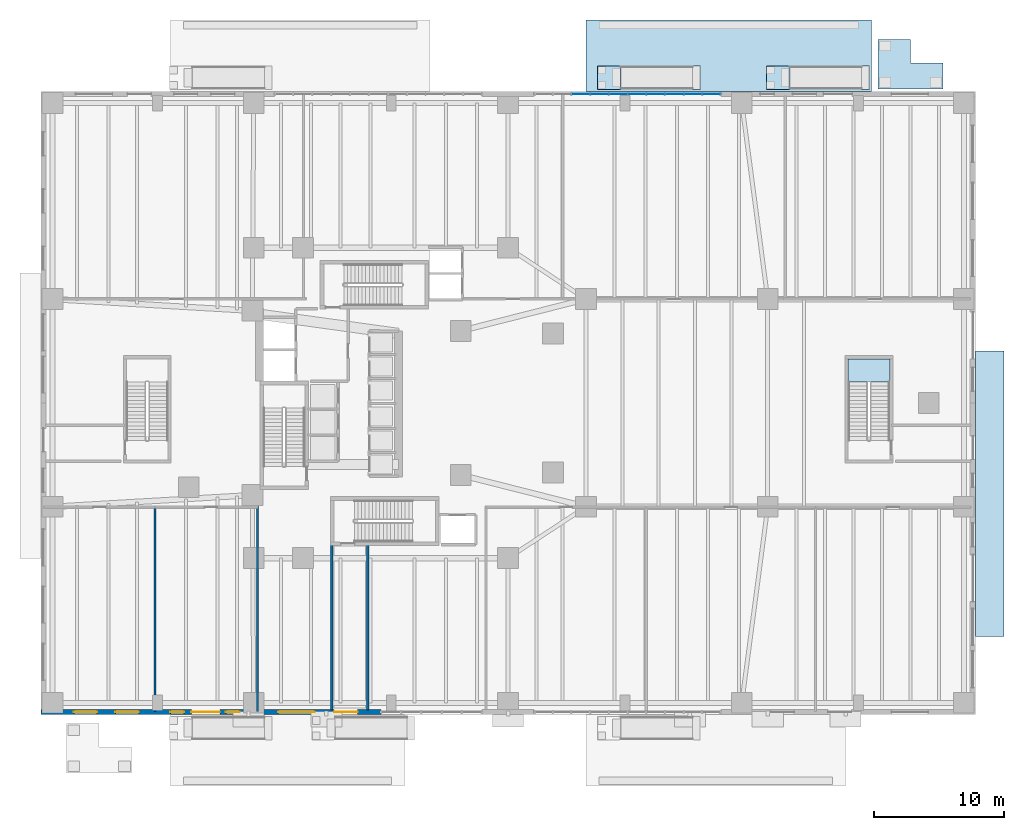
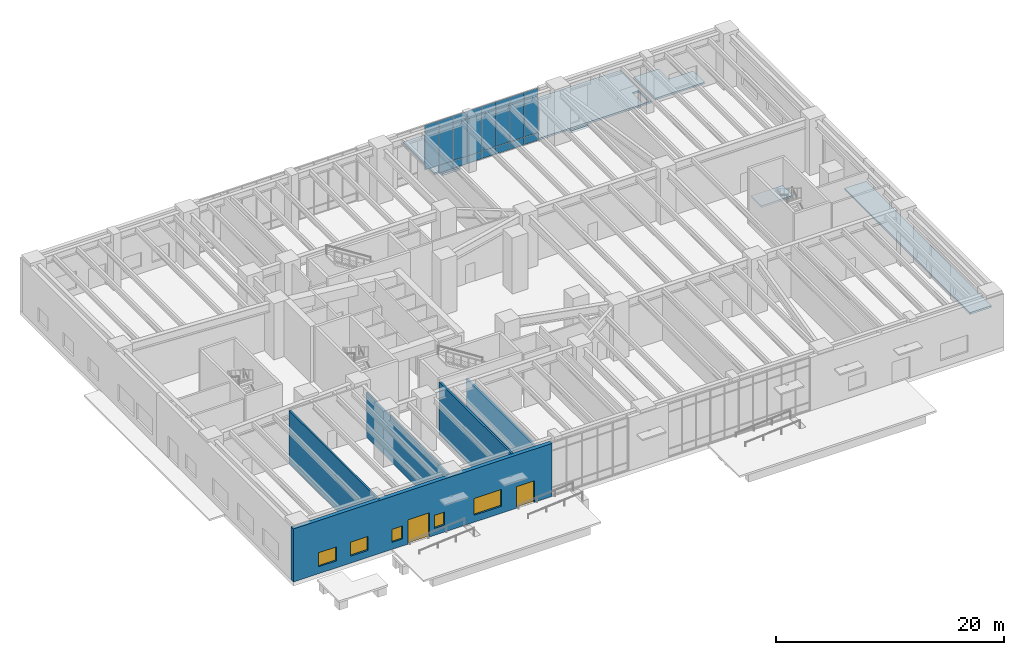
# One storey, part 18 of 28: 23 plates, 6 slabs, 5 walls, 5 windows, 2 doors, 7 openings, 4 elements without a shape of their own.
"""IFC4 building model written with IfcOpenShell, lengths in metres."""

from ifc_helpers import new_model, si_unit, direction, frame, frame_2d, origin, origin_2d, place, context, subcontext, project, spatial, polyline, rectangle, outline, extrude, material, layer, layer_set, type_object, element, fill, aggregate, save


model = new_model("IFC4")

# Units and contexts
model_context = context("Model", 3, precision=1e-05, world=origin(), true_north=direction((0.0, 1.0)))
body_context = subcontext(model_context, "Body", "Model", "MODEL_VIEW")
ifc_project = project(units=[si_unit("LENGTHUNIT", "METRE"), si_unit("AREAUNIT", "SQUARE_METRE"), si_unit("VOLUMEUNIT", "CUBIC_METRE"), si_unit("PLANEANGLEUNIT", "RADIAN"), si_unit("MASSUNIT", "GRAM", prefix="KILO"), si_unit("THERMODYNAMICTEMPERATUREUNIT", "KELVIN"), si_unit("POWERUNIT", "WATT")], contexts=[model_context])

# Site, building, storey
site_placement = place(None, origin())
site = spatial("IfcSite", under=ifc_project, at=site_placement, CompositionType="ELEMENT")
building_placement = place(site_placement, origin())
building = spatial("IfcBuilding", under=site, at=building_placement, Name="Skarre Station Tower", CompositionType="ELEMENT")
storey_placement = place(building_placement, origin())
storey = spatial("IfcBuildingStorey", under=building, at=storey_placement, Name="L01", CompositionType="ELEMENT", Elevation=0.0)

# Curtain wall, plates
ifc_material_1 = material(Name="Thermally Broken Bronze-Anodized Aluminium & Triple Low-E Glass", Category="aluminium")
ifc_layer_1 = layer(ifc_material_1, 0.239990234375, Name="Thermally Broken Bronze-Anodized Aluminium & Triple Low-E Glass")
ifc_layer_set_1 = layer_set([ifc_layer_1], Name="Thermally Broken Bronze-Anodized Aluminium & Triple Low-E Glass")
curtain_wall_type = type_object("IfcCurtainWallType", Name="Station Concourse Monumental Unitised Curtain Wall", PredefinedType="NOTDEFINED", material=ifc_layer_set_1)
curtain_wall_placement = place(storey_placement, origin())
curtain_wall = element("IfcCurtainWall", 1, at=curtain_wall_placement, inside=storey, type_object=curtain_wall_type, Name="L01 North Drop-Off Portal Curtain Wall", PredefinedType="NOTDEFINED")
ifc_material_2 = material(Name="Insulated Bronze Anodized Aluminium Spandrel", Category="aluminium")
ifc_layer_2 = layer(ifc_material_2, 0.052001953125, Name="Insulated Bronze Anodized Aluminium Spandrel")
ifc_layer_set_2 = layer_set([ifc_layer_2], Name="Insulated Bronze Anodized Aluminium Spandrel")
plate_type_1 = type_object("IfcPlateType", Name="Bronze Insulated Spandrel Sheet Panel 52", PredefinedType="SHEET", material=ifc_layer_set_2)
plate_1_placement = place(storey_placement, frame((43.0400390625, 47.800048828125, 0.05224609375), z_axis=(0.0, 0.0, 1.0), x_axis=(1.0, 0.0, 0.0)))
plate_1 = element("IfcPlate", 2, at=plate_1_placement, type_object=plate_type_1, Name="L01 North Drop-Off Portal Curtain Wall Spandrel Panel 4-1", PredefinedType="SHEET", context=body_context, shape_type="SweptSolid", body=[
    extrude(rectangle(XDim=1.416015625, YDim=0.052001953125, at=origin_2d()), origin(), (0.0, 0.0, 1.0), 0.785888671875),
])
plate_2_placement = place(storey_placement, frame((44.47998046875, 47.800048828125, 0.05224609375), z_axis=(0.0, 0.0, 1.0), x_axis=(1.0, 0.0, 0.0)))
plate_2 = element("IfcPlate", 3, at=plate_2_placement, type_object=plate_type_1, Name="L01 North Drop-Off Portal Curtain Wall Spandrel Panel 5-1", PredefinedType="SHEET", context=body_context, shape_type="SweptSolid", body=[
    extrude(rectangle(XDim=1.416015625, YDim=0.052001953125, at=origin_2d()), origin(), (0.0, 0.0, 1.0), 0.785888671875),
])
plate_3_placement = place(storey_placement, frame((45.919921875, 47.800048828125, 0.05224609375), z_axis=(0.0, 0.0, 1.0), x_axis=(1.0, 0.0, 0.0)))
plate_3 = element("IfcPlate", 4, at=plate_3_placement, type_object=plate_type_1, Name="L01 North Drop-Off Portal Curtain Wall Spandrel Panel 6-1", PredefinedType="SHEET", context=body_context, shape_type="SweptSolid", body=[
    extrude(rectangle(XDim=1.416015625, YDim=0.052001953125, at=origin_2d()), origin(), (0.0, 0.0, 1.0), 0.785888671875),
])
plate_4_placement = place(storey_placement, frame((47.360107421875, 47.800048828125, 0.05224609375), z_axis=(0.0, 0.0, 1.0), x_axis=(1.0, 0.0, 0.0)))
plate_4 = element("IfcPlate", 5, at=plate_4_placement, type_object=plate_type_1, Name="L01 North Drop-Off Portal Curtain Wall Spandrel Panel 7-1", PredefinedType="SHEET", context=body_context, shape_type="SweptSolid", body=[
    extrude(rectangle(XDim=1.416015625, YDim=0.052001953125, at=origin_2d()), origin(), (0.0, 0.0, 1.0), 0.785888671875),
])
plate_5_placement = place(storey_placement, frame((48.800048828125, 47.800048828125, 0.05224609375), z_axis=(0.0, 0.0, 1.0), x_axis=(1.0, 0.0, 0.0)))
plate_5 = element("IfcPlate", 6, at=plate_5_placement, type_object=plate_type_1, Name="L01 North Drop-Off Portal Curtain Wall Spandrel Panel 8-1", PredefinedType="SHEET", context=body_context, shape_type="SweptSolid", body=[
    extrude(rectangle(XDim=1.416015625, YDim=0.052001953125, at=origin_2d()), origin(), (0.0, 0.0, 1.0), 0.785888671875),
])
plate_6_placement = place(storey_placement, frame((50.239990234375, 47.800048828125, 0.05224609375), z_axis=(0.0, 0.0, 1.0), x_axis=(1.0, 0.0, 0.0)))
plate_6 = element("IfcPlate", 7, at=plate_6_placement, type_object=plate_type_1, Name="L01 North Drop-Off Portal Curtain Wall Spandrel Panel 9-1", PredefinedType="SHEET", context=body_context, shape_type="SweptSolid", body=[
    extrude(rectangle(XDim=1.416015625, YDim=0.052001953125, at=origin_2d()), origin(), (0.0, 0.0, 1.0), 0.785888671875),
])
plate_7_placement = place(storey_placement, frame((51.679931640625, 47.800048828125, 0.05224609375), z_axis=(0.0, 0.0, 1.0), x_axis=(1.0, 0.0, 0.0)))
plate_7 = element("IfcPlate", 8, at=plate_7_placement, type_object=plate_type_1, Name="L01 North Drop-Off Portal Curtain Wall Spandrel Panel 10-1", PredefinedType="SHEET", context=body_context, shape_type="SweptSolid", body=[
    extrude(rectangle(XDim=1.416015625, YDim=0.052001953125, at=origin_2d()), origin(), (0.0, 0.0, 1.0), 0.785888671875),
])

# Ramp, slab
ifc_material_3 = material(Name="Concrete C40/50", Category="concrete")
ramp_type = type_object("IfcRampType", Name="Accessible Concourse Pedestrian Ramp", PredefinedType="STRAIGHT_RUN_RAMP", material=ifc_material_3)
ramp_1_placement = place(storey_placement, origin())
ramp_1 = element("IfcRamp", 9, at=ramp_1_placement, inside=storey, type_object=ramp_type, Name="North Hospitality Drop-Off Accessible Ramp", PredefinedType="STRAIGHT_RUN_RAMP")
ifc_layer_3 = layer(ifc_material_3, 0.219970703125, Name="Concrete C40/50")
ifc_layer_set_3 = layer_set([ifc_layer_3], Name="Concrete C40/50")
slab_type_1 = type_object("IfcSlabType", Name="Exterior Ramp Approach Landing 220", PredefinedType="LANDING", material=ifc_layer_set_3)
slab_1_placement = place(storey_placement, frame((0.0, 0.0, -0.679931640625)))
slab_1 = element("IfcSlab", 10, at=slab_1_placement, type_object=slab_type_1, Name="North Hospitality Drop-Off Accessible Ramp Bottom Landing", PredefinedType="LANDING", context=body_context, shape_type="SweptSolid", body=[
    extrude(outline(polyline([(42.89990234375, 48.14990234375), (44.699951171875, 48.14990234375), (44.699951171875, 49.949951171875), (42.89990234375, 49.949951171875), (42.89990234375, 48.14990234375)])), origin(), (0.0, 0.0, 1.0), 0.219970703125),
])
aggregate(ramp_1, [slab_1])

ramp_2_placement = place(storey_placement, origin())
ramp_2 = element("IfcRamp", 11, at=ramp_2_placement, inside=storey, type_object=ramp_type, Name="North East Arcade Accessible Ramp", PredefinedType="STRAIGHT_RUN_RAMP")
slab_2_placement = place(storey_placement, frame((0.0, 0.0, -0.679931640625)))
slab_2 = element("IfcSlab", 12, at=slab_2_placement, type_object=slab_type_1, Name="North East Arcade Accessible Ramp Bottom Landing", PredefinedType="LANDING", context=body_context, shape_type="SweptSolid", body=[
    extrude(outline(polyline([(55.89990234375, 48.14990234375), (57.699951171875, 48.14990234375), (57.699951171875, 49.949951171875), (55.89990234375, 49.949951171875), (55.89990234375, 48.14990234375)])), origin(), (0.0, 0.0, 1.0), 0.219970703125),
])
aggregate(ramp_2, [slab_2])

# Slabs
ifc_material_4 = material(Name="Precast concrete C40/50", Category="concrete")
ifc_layer_4 = layer(ifc_material_4, 0.18994140625, Name="Precast concrete C40/50")
ifc_layer_set_4 = layer_set([ifc_layer_4], Name="Precast concrete C40/50")
slab_type_2 = type_object("IfcSlabType", Name="Granite Street Entrance & Apron Paving 190", PredefinedType="USERDEFINED", material=ifc_layer_set_4)
slab_3_placement = place(storey_placement, frame((0.0, 0.0, -0.18994140625)))
element("IfcSlab", 13, at=slab_3_placement, inside=storey, type_object=slab_type_2, Name="North Hotel & Observatory Drop-Off Paving", ObjectType="PAVING", PredefinedType="USERDEFINED", context=body_context, shape_type="SweptSolid", body=[
    extrude(outline(polyline([(42.0, 48.010009765625), (64.0, 48.010009765625), (64.0, 53.5), (42.0, 53.5), (42.0, 48.010009765625)]), holes=[polyline([(50.2099609375, 49.9599609375), (50.820068359375, 49.9599609375), (50.820068359375, 48.139892578125), (50.2099609375, 48.139892578125), (50.2099609375, 49.9599609375)]), polyline([(63.2099609375, 49.9599609375), (63.820068359375, 49.9599609375), (63.820068359375, 48.139892578125), (63.2099609375, 48.139892578125), (63.2099609375, 49.9599609375)])]), origin(), (0.0, 0.0, 1.0), 0.18994140625),
])
slab_4_placement = place(storey_placement, frame((0.0, 0.0, -0.18994140625)))
element("IfcSlab", 14, at=slab_4_placement, inside=storey, type_object=slab_type_2, Name="East Freight Dock & Exit Discharge Apron Paving", ObjectType="PAVING", PredefinedType="USERDEFINED", context=body_context, shape_type="SweptSolid", body=[
    extrude(outline(polyline([(72.010009765625, 6.0), (74.199951171875, 6.0), (74.199951171875, 28.0), (72.010009765625, 28.0), (72.010009765625, 6.0)])), origin(), (0.0, 0.0, 1.0), 0.18994140625),
])
slab_5_placement = place(storey_placement, frame((0.0, 0.0, -0.18994140625)))
element("IfcSlab", 15, at=slab_5_placement, inside=storey, type_object=slab_type_2, Name="L01 Stepped Forecourt Apron Slab 2", ObjectType="PAVING", PredefinedType="USERDEFINED", context=body_context, shape_type="SweptSolid", body=[
    extrude(outline(polyline([(64.5, 48.199951171875), (69.5, 48.199951171875), (69.5, 50.199951171875), (67.0, 50.199951171875), (67.0, 52.0), (64.5, 52.0), (64.5, 48.199951171875)])), origin(), (0.0, 0.0, 1.0), 0.18994140625),
])

# Stair, slab
stair_type = type_object("IfcStairType", Name="Reinforced Concrete Exit Stair ST-5", PredefinedType="HALF_TURN_STAIR", material=ifc_material_3)
stair_placement = place(storey_placement, origin())
stair = element("IfcStair", 16, at=stair_placement, inside=storey, type_object=stair_type, Name="L01 Podium Concourse Exit Stair ST-5", PredefinedType="HALF_TURN_STAIR")
ifc_layer_5 = layer(ifc_material_3, 0.219970703125, Name="Concrete C40/50")
ifc_layer_set_5 = layer_set([ifc_layer_5], Name="Concrete C40/50")
slab_type_3 = type_object("IfcSlabType", Name="Reinforced Concrete Stair & Ramp Landing 220", PredefinedType="LANDING", material=ifc_layer_set_5)
slab_6_placement = place(storey_placement, frame((0.0, 0.0, 2.800048828125)))
slab_6 = element("IfcSlab", 17, at=slab_6_placement, type_object=slab_type_3, Name="ST-5 landing 1", PredefinedType="LANDING", context=body_context, shape_type="SweptSolid", body=[
    extrude(outline(polyline([(65.39990234375, 25.60009765625), (65.39990234375, 27.39990234375), (62.199951171875, 27.39990234375), (62.199951171875, 25.60009765625), (65.39990234375, 25.60009765625)])), origin(), (0.0, 0.0, 1.0), 0.199951171875),
])
aggregate(stair, [slab_6])

# Plate
ifc_material_5 = material(Name="Low-Iron Triple Insulating Glass Unit", Category="glass")
ifc_layer_6 = layer(ifc_material_5, 0.0439453125, Name="Low-Iron Triple Insulating Glass Unit")
ifc_layer_set_6 = layer_set([ifc_layer_6], Name="Low-Iron Triple Insulating Glass Unit")
plate_type_2 = type_object("IfcPlateType", Name="Triple-Glazed Vision Curtain Panel 44", PredefinedType="CURTAIN_PANEL", material=ifc_layer_set_6)
plate_8_placement = place(storey_placement, frame((41.60009765625, 47.800048828125, 0.862060546875), z_axis=(0.0, 0.0, 1.0), x_axis=(1.0, 0.0, 0.0)))
plate_8 = element("IfcPlate", 18, at=plate_8_placement, type_object=plate_type_2, Name="L01 North Drop-Off Portal Curtain Wall Vision Panel 3-2", PredefinedType="CURTAIN_PANEL", context=body_context, shape_type="SweptSolid", body=[
    extrude(rectangle(XDim=1.416015625, YDim=0.0439453125, at=origin_2d()), origin(), (0.0, 0.0, 1.0), 3.916015625),
])

plate_9_placement = place(storey_placement, frame((41.60009765625, 47.800048828125, 4.802001953125), z_axis=(0.0, 0.0, 1.0), x_axis=(1.0, 0.0, 0.0)))
plate_9 = element("IfcPlate", 19, at=plate_9_placement, type_object=plate_type_2, Name="L01 North Drop-Off Portal Curtain Wall Vision Panel 3-3", PredefinedType="CURTAIN_PANEL", context=body_context, shape_type="SweptSolid", body=[
    extrude(rectangle(XDim=1.416015625, YDim=0.0439453125, at=origin_2d()), origin(), (0.0, 0.0, 1.0), 0.8359375),
])

plate_10_placement = place(storey_placement, frame((43.0400390625, 47.800048828125, 0.862060546875), z_axis=(0.0, 0.0, 1.0), x_axis=(1.0, 0.0, 0.0)))
plate_10 = element("IfcPlate", 20, at=plate_10_placement, type_object=plate_type_2, Name="L01 North Drop-Off Portal Curtain Wall Vision Panel 4-2", PredefinedType="CURTAIN_PANEL", context=body_context, shape_type="SweptSolid", body=[
    extrude(rectangle(XDim=1.416015625, YDim=0.0439453125, at=origin_2d()), origin(), (0.0, 0.0, 1.0), 3.916015625),
])

plate_11_placement = place(storey_placement, frame((43.0400390625, 47.800048828125, 4.802001953125), z_axis=(0.0, 0.0, 1.0), x_axis=(1.0, 0.0, 0.0)))
plate_11 = element("IfcPlate", 21, at=plate_11_placement, type_object=plate_type_2, Name="L01 North Drop-Off Portal Curtain Wall Vision Panel 4-3", PredefinedType="CURTAIN_PANEL", context=body_context, shape_type="SweptSolid", body=[
    extrude(rectangle(XDim=1.416015625, YDim=0.0439453125, at=origin_2d()), origin(), (0.0, 0.0, 1.0), 0.8359375),
])

plate_12_placement = place(storey_placement, frame((44.47998046875, 47.800048828125, 0.862060546875), z_axis=(0.0, 0.0, 1.0), x_axis=(1.0, 0.0, 0.0)))
plate_12 = element("IfcPlate", 22, at=plate_12_placement, type_object=plate_type_2, Name="L01 North Drop-Off Portal Curtain Wall Vision Panel 5-2", PredefinedType="CURTAIN_PANEL", context=body_context, shape_type="SweptSolid", body=[
    extrude(rectangle(XDim=1.416015625, YDim=0.0439453125, at=origin_2d()), origin(), (0.0, 0.0, 1.0), 3.916015625),
])

plate_13_placement = place(storey_placement, frame((44.47998046875, 47.800048828125, 4.802001953125), z_axis=(0.0, 0.0, 1.0), x_axis=(1.0, 0.0, 0.0)))
plate_13 = element("IfcPlate", 23, at=plate_13_placement, type_object=plate_type_2, Name="L01 North Drop-Off Portal Curtain Wall Vision Panel 5-3", PredefinedType="CURTAIN_PANEL", context=body_context, shape_type="SweptSolid", body=[
    extrude(rectangle(XDim=1.416015625, YDim=0.0439453125, at=origin_2d()), origin(), (0.0, 0.0, 1.0), 0.8359375),
])

plate_14_placement = place(storey_placement, frame((45.919921875, 47.800048828125, 0.862060546875), z_axis=(0.0, 0.0, 1.0), x_axis=(1.0, 0.0, 0.0)))
plate_14 = element("IfcPlate", 24, at=plate_14_placement, type_object=plate_type_2, Name="L01 North Drop-Off Portal Curtain Wall Vision Panel 6-2", PredefinedType="CURTAIN_PANEL", context=body_context, shape_type="SweptSolid", body=[
    extrude(rectangle(XDim=1.416015625, YDim=0.0439453125, at=origin_2d()), origin(), (0.0, 0.0, 1.0), 3.916015625),
])

plate_15_placement = place(storey_placement, frame((45.919921875, 47.800048828125, 4.802001953125), z_axis=(0.0, 0.0, 1.0), x_axis=(1.0, 0.0, 0.0)))
plate_15 = element("IfcPlate", 25, at=plate_15_placement, type_object=plate_type_2, Name="L01 North Drop-Off Portal Curtain Wall Vision Panel 6-3", PredefinedType="CURTAIN_PANEL", context=body_context, shape_type="SweptSolid", body=[
    extrude(rectangle(XDim=1.416015625, YDim=0.0439453125, at=origin_2d()), origin(), (0.0, 0.0, 1.0), 0.8359375),
])

plate_16_placement = place(storey_placement, frame((47.360107421875, 47.800048828125, 0.862060546875), z_axis=(0.0, 0.0, 1.0), x_axis=(1.0, 0.0, 0.0)))
plate_16 = element("IfcPlate", 26, at=plate_16_placement, type_object=plate_type_2, Name="L01 North Drop-Off Portal Curtain Wall Vision Panel 7-2", PredefinedType="CURTAIN_PANEL", context=body_context, shape_type="SweptSolid", body=[
    extrude(rectangle(XDim=1.416015625, YDim=0.0439453125, at=origin_2d()), origin(), (0.0, 0.0, 1.0), 3.916015625),
])

plate_17_placement = place(storey_placement, frame((47.360107421875, 47.800048828125, 4.802001953125), z_axis=(0.0, 0.0, 1.0), x_axis=(1.0, 0.0, 0.0)))
plate_17 = element("IfcPlate", 27, at=plate_17_placement, type_object=plate_type_2, Name="L01 North Drop-Off Portal Curtain Wall Vision Panel 7-3", PredefinedType="CURTAIN_PANEL", context=body_context, shape_type="SweptSolid", body=[
    extrude(rectangle(XDim=1.416015625, YDim=0.0439453125, at=origin_2d()), origin(), (0.0, 0.0, 1.0), 0.8359375),
])

plate_18_placement = place(storey_placement, frame((48.800048828125, 47.800048828125, 0.862060546875), z_axis=(0.0, 0.0, 1.0), x_axis=(1.0, 0.0, 0.0)))
plate_18 = element("IfcPlate", 28, at=plate_18_placement, type_object=plate_type_2, Name="L01 North Drop-Off Portal Curtain Wall Vision Panel 8-2", PredefinedType="CURTAIN_PANEL", context=body_context, shape_type="SweptSolid", body=[
    extrude(rectangle(XDim=1.416015625, YDim=0.0439453125, at=origin_2d()), origin(), (0.0, 0.0, 1.0), 3.916015625),
])

plate_19_placement = place(storey_placement, frame((48.800048828125, 47.800048828125, 4.802001953125), z_axis=(0.0, 0.0, 1.0), x_axis=(1.0, 0.0, 0.0)))
plate_19 = element("IfcPlate", 29, at=plate_19_placement, type_object=plate_type_2, Name="L01 North Drop-Off Portal Curtain Wall Vision Panel 8-3", PredefinedType="CURTAIN_PANEL", context=body_context, shape_type="SweptSolid", body=[
    extrude(rectangle(XDim=1.416015625, YDim=0.0439453125, at=origin_2d()), origin(), (0.0, 0.0, 1.0), 0.8359375),
])

plate_20_placement = place(storey_placement, frame((50.239990234375, 47.800048828125, 0.862060546875), z_axis=(0.0, 0.0, 1.0), x_axis=(1.0, 0.0, 0.0)))
plate_20 = element("IfcPlate", 30, at=plate_20_placement, type_object=plate_type_2, Name="L01 North Drop-Off Portal Curtain Wall Vision Panel 9-2", PredefinedType="CURTAIN_PANEL", context=body_context, shape_type="SweptSolid", body=[
    extrude(rectangle(XDim=1.416015625, YDim=0.0439453125, at=origin_2d()), origin(), (0.0, 0.0, 1.0), 3.916015625),
])

plate_21_placement = place(storey_placement, frame((50.239990234375, 47.800048828125, 4.802001953125), z_axis=(0.0, 0.0, 1.0), x_axis=(1.0, 0.0, 0.0)))
plate_21 = element("IfcPlate", 31, at=plate_21_placement, type_object=plate_type_2, Name="L01 North Drop-Off Portal Curtain Wall Vision Panel 9-3", PredefinedType="CURTAIN_PANEL", context=body_context, shape_type="SweptSolid", body=[
    extrude(rectangle(XDim=1.416015625, YDim=0.0439453125, at=origin_2d()), origin(), (0.0, 0.0, 1.0), 0.8359375),
])

plate_22_placement = place(storey_placement, frame((51.679931640625, 47.800048828125, 0.862060546875), z_axis=(0.0, 0.0, 1.0), x_axis=(1.0, 0.0, 0.0)))
plate_22 = element("IfcPlate", 32, at=plate_22_placement, type_object=plate_type_2, Name="L01 North Drop-Off Portal Curtain Wall Vision Panel 10-2", PredefinedType="CURTAIN_PANEL", context=body_context, shape_type="SweptSolid", body=[
    extrude(rectangle(XDim=1.416015625, YDim=0.0439453125, at=origin_2d()), origin(), (0.0, 0.0, 1.0), 3.916015625),
])

plate_23_placement = place(storey_placement, frame((51.679931640625, 47.800048828125, 4.802001953125), z_axis=(0.0, 0.0, 1.0), x_axis=(1.0, 0.0, 0.0)))
plate_23 = element("IfcPlate", 33, at=plate_23_placement, type_object=plate_type_2, Name="L01 North Drop-Off Portal Curtain Wall Vision Panel 10-3", PredefinedType="CURTAIN_PANEL", context=body_context, shape_type="SweptSolid", body=[
    extrude(rectangle(XDim=1.416015625, YDim=0.0439453125, at=origin_2d()), origin(), (0.0, 0.0, 1.0), 0.8359375),
])

aggregate(curtain_wall, [plate_8, plate_9, plate_1, plate_10, plate_11, plate_2, plate_12, plate_13, plate_3, plate_14, plate_15, plate_4, plate_16, plate_17, plate_5, plate_18, plate_19, plate_6, plate_20, plate_21, plate_7, plate_22, plate_23])

# Wall, openings, doors, windows
ifc_material_6 = material(Name="Precast concrete C45/55", Category="concrete")
ifc_layer_7 = layer(ifc_material_6, 0.39990234375, Name="Precast concrete C45/55")
ifc_layer_set_7 = layer_set([ifc_layer_7], Name="Precast concrete C45/55")
wall_type_1 = type_object("IfcWallType", Name="Nordic Granite Station Podium Wall 400", PredefinedType="STANDARD", material=ifc_layer_set_7)
wall_1_placement = place(storey_placement, frame((26.199951171875, 0.199951171875, 0.0), z_axis=(0.0, 0.0, 1.0), x_axis=(-1.0, 0.0, 0.0)))
wall_1 = element("IfcWall", 34, at=wall_1_placement, inside=storey, type_object=wall_type_1, Name="L01 South Podium Granite Wall SC", PredefinedType="STANDARD", context=body_context, shape_type="SweptSolid", body=[
    extrude(rectangle(XDim=26.199951171875, YDim=0.39990234375, at=frame_2d((13.10009765625, 0.0))), origin(), (0.0, 0.0, 1.0), 5.68994140625),
])
opening_1_placement = place(wall_1_placement, frame((1.800048828125, 0.0, 0.0)))
opening_1 = element("IfcOpeningElement", 35, at=opening_1_placement, cuts=wall_1, Name="Opening DR-EXIT180", PredefinedType="OPENING", context=body_context, shape_type="SweptSolid", body=[
    extrude(rectangle(XDim=1.800048828125, YDim=2.300048828125, at=frame_2d((0.89990234375, 1.14990234375))), frame((0.0, 0.2099609375, 0.0), z_axis=(0.0, -1.0, 0.0), x_axis=(1.0, 0.0, 0.0)), (0.0, 0.0, 1.0), 0.419921875),
])
opening_2_placement = place(wall_1_placement, frame((12.39990234375, 0.0, 0.0)))
opening_2 = element("IfcOpeningElement", 36, at=opening_2_placement, cuts=wall_1, Name="Opening DR-EXT220", PredefinedType="OPENING", context=body_context, shape_type="SweptSolid", body=[
    extrude(rectangle(XDim=2.199951171875, YDim=2.60009765625, at=frame_2d((1.10009765625, 1.300048828125))), frame((0.0, 0.2099609375, 0.0), z_axis=(0.0, -1.0, 0.0), x_axis=(1.0, 0.0, 0.0)), (0.0, 0.0, 1.0), 0.419921875),
])
opening_3_placement = place(wall_1_placement, frame((5.110107421875, 0.0, 0.75)))
opening_3 = element("IfcOpeningElement", 37, at=opening_3_placement, cuts=wall_1, Name="Opening WN-POD", PredefinedType="OPENING", context=body_context, shape_type="SweptSolid", body=[
    extrude(rectangle(XDim=2.800048828125, YDim=1.800048828125, at=frame_2d((1.39990234375, 0.89990234375))), frame((0.0, 0.2099609375, 0.0), z_axis=(0.0, -1.0, 0.0), x_axis=(1.0, 0.0, 0.0)), (0.0, 0.0, 1.0), 0.419921875),
])
opening_4_placement = place(wall_1_placement, frame((10.885009765625, 0.0, 0.75)))
opening_4 = element("IfcOpeningElement", 38, at=opening_4_placement, cuts=wall_1, Name="Opening WN-SLT", PredefinedType="OPENING", context=body_context, shape_type="SweptSolid", body=[
    extrude(rectangle(XDim=1.050048828125, YDim=1.39990234375, at=frame_2d((0.52490234375, 0.699951171875))), frame((0.0, 0.2099609375, 0.0), z_axis=(0.0, -1.0, 0.0), x_axis=(1.0, 0.0, 0.0)), (0.0, 0.0, 1.0), 0.419921875),
])
opening_5_placement = place(wall_1_placement, frame((15.1650390625, 0.0, 0.75)))
opening_5 = element("IfcOpeningElement", 39, at=opening_5_placement, cuts=wall_1, Name="Opening WN-SLT", PredefinedType="OPENING", context=body_context, shape_type="SweptSolid", body=[
    extrude(rectangle(XDim=1.050048828125, YDim=1.39990234375, at=frame_2d((0.52490234375, 0.699951171875))), frame((0.0, 0.2099609375, 0.0), z_axis=(0.0, -1.0, 0.0), x_axis=(1.0, 0.0, 0.0)), (0.0, 0.0, 1.0), 0.419921875),
])
opening_6_placement = place(wall_1_placement, frame((18.64501953125, 0.0, 0.75)))
opening_6 = element("IfcOpeningElement", 40, at=opening_6_placement, cuts=wall_1, Name="Opening WN-Z1A", PredefinedType="OPENING", context=body_context, shape_type="SweptSolid", body=[
    extrude(rectangle(XDim=1.800048828125, YDim=1.5, at=frame_2d((0.89990234375, 0.75))), frame((0.0, 0.2099609375, 0.0), z_axis=(0.0, -1.0, 0.0), x_axis=(1.0, 0.0, 0.0)), (0.0, 0.0, 1.0), 0.419921875),
])
opening_7_placement = place(wall_1_placement, frame((21.85498046875, 0.0, 0.75)))
opening_7 = element("IfcOpeningElement", 41, at=opening_7_placement, cuts=wall_1, Name="Opening WN-Z1A", PredefinedType="OPENING", context=body_context, shape_type="SweptSolid", body=[
    extrude(rectangle(XDim=1.800048828125, YDim=1.5, at=frame_2d((0.89990234375, 0.75))), frame((0.0, 0.2099609375, 0.0), z_axis=(0.0, -1.0, 0.0), x_axis=(1.0, 0.0, 0.0)), (0.0, 0.0, 1.0), 0.419921875),
])
ifc_material_7 = material(Name="Insulated Galvanized Steel Hollow-Metal Door", Category="steel")
door_type_1 = type_object("IfcDoorType", Name="Concourse Emergency Exit Discharge Door 1800x2300", OperationType="DOUBLE_DOOR_SINGLE_SWING", PredefinedType="DOOR", material=ifc_material_7)
door_1_placement = place(opening_1_placement, origin())
door_1 = element("IfcDoor", 42, at=door_1_placement, inside=storey, type_object=door_type_1, Name="L01 Stair ST-2 Protected Passageway Exterior Exit Door", OperationType="SINGLE_SWING_LEFT", OverallHeight=2.300048828125, OverallWidth=1.800048828125, PredefinedType="DOOR", context=body_context, shape_type="SweptSolid", body=[
    extrude(rectangle(XDim=1.800048828125, YDim=2.300048828125, at=frame_2d((0.89990234375, 1.14990234375))), frame((0.0, 0.02490234375, 0.0), z_axis=(0.0, -1.0, 0.0), x_axis=(1.0, 0.0, 0.0)), (0.0, 0.0, 1.0), 0.050048828125),
])
fill(opening_1, door_1)
ifc_material_8 = material(Name="Low-Iron Triple Glazing with Bronze Anodized Frame", Category="glass")
window_type_1 = type_object("IfcWindowType", Name="Nordic Corner Slot Window 1050x1400", PartitioningType="SINGLE_PANEL", PredefinedType="WINDOW", material=ifc_material_8)
window_1_placement = place(opening_4_placement, origin())
window_1 = element("IfcWindow", 43, at=window_1_placement, inside=storey, type_object=window_type_1, Name="L01 Facade Window WL-POD-L01-SC-2", OverallHeight=1.39990234375, OverallWidth=1.050048828125, PartitioningType="SINGLE_PANEL", PredefinedType="WINDOW", context=body_context, shape_type="SweptSolid", body=[
    extrude(rectangle(XDim=1.050048828125, YDim=1.39990234375, at=frame_2d((0.52490234375, 0.699951171875))), frame((0.0, 0.030029296875, 0.0), z_axis=(0.0, -1.0, 0.0), x_axis=(1.0, 0.0, 0.0)), (0.0, 0.0, 1.0), 0.06005859375),
])
fill(opening_4, window_1)
window_2_placement = place(opening_5_placement, origin())
window_2 = element("IfcWindow", 44, at=window_2_placement, inside=storey, type_object=window_type_1, Name="L01 Facade Window WL-POD-L01-SC-3", OverallHeight=1.39990234375, OverallWidth=1.050048828125, PartitioningType="SINGLE_PANEL", PredefinedType="WINDOW", context=body_context, shape_type="SweptSolid", body=[
    extrude(rectangle(XDim=1.050048828125, YDim=1.39990234375, at=frame_2d((0.52490234375, 0.699951171875))), frame((0.0, 0.030029296875, 0.0), z_axis=(0.0, -1.0, 0.0), x_axis=(1.0, 0.0, 0.0)), (0.0, 0.0, 1.0), 0.06005859375),
])
fill(opening_5, window_2)
window_type_2 = type_object("IfcWindowType", Name="Nordic Punched Triple-Glazed Window 1800x1500", PartitioningType="SINGLE_PANEL", PredefinedType="WINDOW", material=ifc_material_8)
window_3_placement = place(opening_6_placement, origin())
window_3 = element("IfcWindow", 45, at=window_3_placement, inside=storey, type_object=window_type_2, Name="L01 Facade Window WL-POD-L01-SC-4", OverallHeight=1.5, OverallWidth=1.800048828125, PartitioningType="SINGLE_PANEL", PredefinedType="WINDOW", context=body_context, shape_type="SweptSolid", body=[
    extrude(rectangle(XDim=1.800048828125, YDim=1.5, at=frame_2d((0.89990234375, 0.75))), frame((0.0, 0.030029296875, 0.0), z_axis=(0.0, -1.0, 0.0), x_axis=(1.0, 0.0, 0.0)), (0.0, 0.0, 1.0), 0.06005859375),
])
fill(opening_6, window_3)
window_4_placement = place(opening_7_placement, origin())
window_4 = element("IfcWindow", 46, at=window_4_placement, inside=storey, type_object=window_type_2, Name="L01 Facade Window WL-POD-L01-SC-5", OverallHeight=1.5, OverallWidth=1.800048828125, PartitioningType="SINGLE_PANEL", PredefinedType="WINDOW", context=body_context, shape_type="SweptSolid", body=[
    extrude(rectangle(XDim=1.800048828125, YDim=1.5, at=frame_2d((0.89990234375, 0.75))), frame((0.0, 0.030029296875, 0.0), z_axis=(0.0, -1.0, 0.0), x_axis=(1.0, 0.0, 0.0)), (0.0, 0.0, 1.0), 0.06005859375),
])
fill(opening_7, window_4)
window_type_3 = type_object("IfcWindowType", Name="Podium Clerestory Ribbon Window 2800x1800", PartitioningType="SINGLE_PANEL", PredefinedType="WINDOW", material=ifc_material_8)
window_5_placement = place(opening_3_placement, origin())
window_5 = element("IfcWindow", 47, at=window_5_placement, inside=storey, type_object=window_type_3, Name="L01 Facade Window WL-POD-L01-SC-1", OverallHeight=1.800048828125, OverallWidth=2.800048828125, PartitioningType="SINGLE_PANEL", PredefinedType="WINDOW", context=body_context, shape_type="SweptSolid", body=[
    extrude(rectangle(XDim=2.800048828125, YDim=1.800048828125, at=frame_2d((1.39990234375, 0.89990234375))), frame((0.0, 0.030029296875, 0.0), z_axis=(0.0, -1.0, 0.0), x_axis=(1.0, 0.0, 0.0)), (0.0, 0.0, 1.0), 0.06005859375),
])
fill(opening_3, window_5)
ifc_material_9 = material(Name="Bronze Anodized Aluminium & Laminated Safety Glass", Category="aluminium")
door_type_2 = type_object("IfcDoorType", Name="Station Plaza Revolving & Swing Portal Door 2200x2600", OperationType="DOUBLE_DOOR_SINGLE_SWING", PredefinedType="DOOR", material=ifc_material_9)
door_2_placement = place(opening_2_placement, origin())
door_2 = element("IfcDoor", 48, at=door_2_placement, inside=storey, type_object=door_type_2, Name="L01 South Station Plaza Main Entrance Door", OperationType="SINGLE_SWING_LEFT", OverallHeight=2.60009765625, OverallWidth=2.199951171875, PredefinedType="DOOR", context=body_context, shape_type="SweptSolid", body=[
    extrude(rectangle(XDim=2.199951171875, YDim=2.60009765625, at=frame_2d((1.10009765625, 1.300048828125))), frame((0.0, 0.02490234375, 0.0), z_axis=(0.0, -1.0, 0.0), x_axis=(1.0, 0.0, 0.0)), (0.0, 0.0, 1.0), 0.050048828125),
])
fill(opening_2, door_2)

# Walls
ifc_material_10 = material(Name="Gypsum Concrete Shaft Assembly C30/37", Category="concrete")
ifc_layer_8 = layer(ifc_material_10, 0.199951171875, Name="Gypsum Concrete Shaft Assembly C30/37")
ifc_layer_set_8 = layer_set([ifc_layer_8], Name="Gypsum Concrete Shaft Assembly C30/37")
wall_type_2 = type_object("IfcWallType", Name="Shaft & Core Fire Partition 200", PredefinedType="PARTITIONING", material=ifc_layer_set_8)
wall_2_placement = place(storey_placement, frame((22.419921875, 0.35009765625, 0.0), z_axis=(0.0, 0.0, 1.0), x_axis=(0.0, 1.0, 0.0)))
element("IfcWall", 49, at=wall_2_placement, inside=storey, type_object=wall_type_2, Name="L01 Interior Partition WL-PT-L01-EXPS-W", PredefinedType="PARTITIONING", context=body_context, shape_type="SweptSolid", body=[
    extrude(rectangle(XDim=12.739013671875, YDim=0.199951171875, at=frame_2d((6.36962890625, 0.0))), origin(), (0.0, 0.0, 1.0), 5.68994140625),
])
wall_3_placement = place(storey_placement, frame((25.179931640625, 13.159912109375, 0.0), z_axis=(0.0, 0.0, 1.0), x_axis=(0.0, -1.0, 0.0)))
element("IfcWall", 50, at=wall_3_placement, inside=storey, type_object=wall_type_2, Name="L01 Interior Partition WL-PT-L01-EXPS-E", PredefinedType="PARTITIONING", context=body_context, shape_type="SweptSolid", body=[
    extrude(rectangle(XDim=12.809814453125, YDim=0.199951171875, at=frame_2d((6.40478515625, 0.0))), origin(), (0.0, 0.0, 1.0), 5.08203125),
])
ifc_material_11 = material(Name="Acoustic Steel-Stud Gypsum Partition", Category="steel")
ifc_layer_9 = layer(ifc_material_11, 0.1650390625, Name="Acoustic Steel-Stud Gypsum Partition")
ifc_layer_set_9 = layer_set([ifc_layer_9], Name="Acoustic Steel-Stud Gypsum Partition")
wall_type_3 = type_object("IfcWallType", Name="Suite Demising Acoustic Partition 165", PredefinedType="PARTITIONING", material=ifc_layer_set_9)
wall_4_placement = place(storey_placement, frame((16.699951171875, 0.239990234375, 0.0), z_axis=(0.0, 0.0, 1.0), x_axis=(0.0, 1.0, 0.0)))
element("IfcWall", 51, at=wall_4_placement, inside=storey, type_object=wall_type_3, Name="L01 Interior Partition WL-PT-L01-PDSW-E", PredefinedType="PARTITIONING", context=body_context, shape_type="SweptSolid", body=[
    extrude(rectangle(XDim=15.81005859375, YDim=0.1650390625, at=frame_2d((7.905029296875, 0.0))), origin(), (0.0, 0.0, 1.0), 4.762939453125),
])
wall_5_placement = place(storey_placement, frame((8.799072265625, 0.22998046875, 0.0), z_axis=(0.0, 0.0, 1.0), x_axis=(0.0, 1.0, 0.0)))
element("IfcWall", 52, at=wall_5_placement, inside=storey, type_object=wall_type_3, Name="L01 Interior Partition WL-PT-L01-PDSW-P1", PredefinedType="PARTITIONING", context=body_context, shape_type="SweptSolid", body=[
    extrude(rectangle(XDim=15.679931640625, YDim=0.1650390625, at=frame_2d((7.83984375, 0.0))), origin(), (0.0, 0.0, 1.0), 5.68994140625),
])

save(model, "model.ifc")
